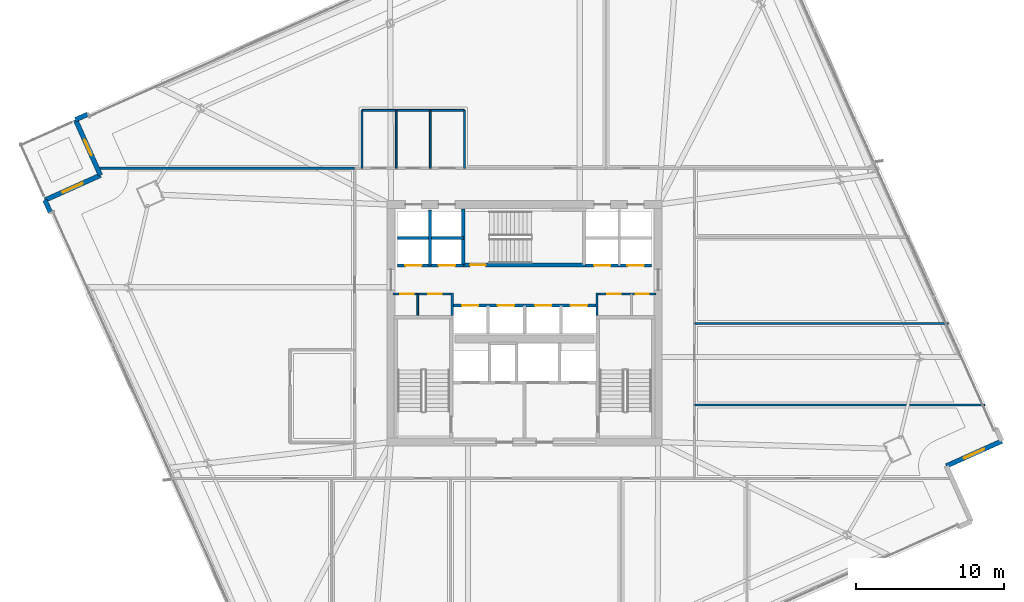
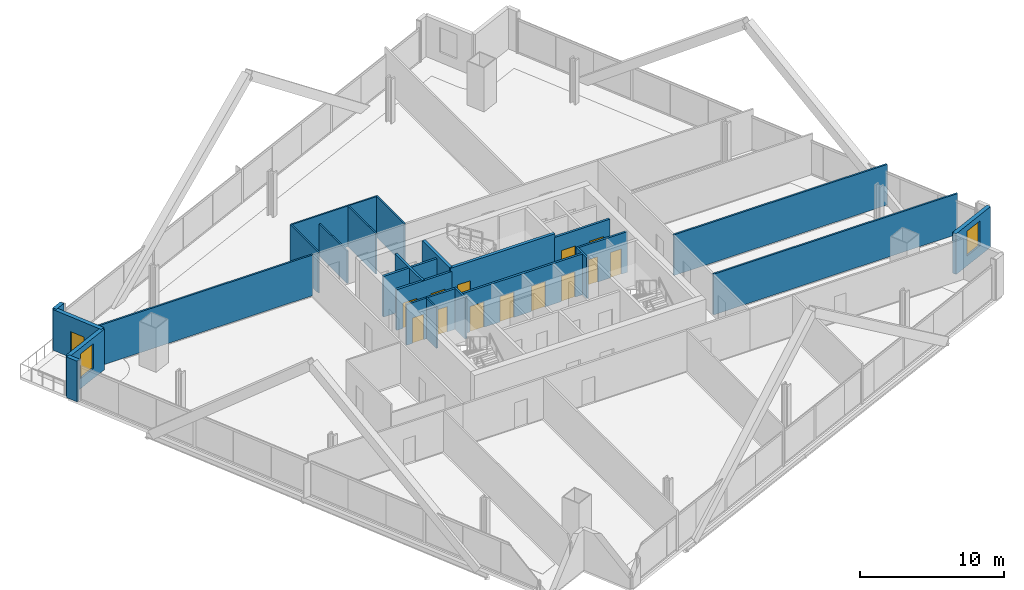
# One storey, part 30 of 38: 25 walls, 14 doors, 2 windows, 16 openings.
"""IFC4 building model written with IfcOpenShell, lengths in metres."""

from ifc_helpers import new_model, si_unit, direction, frame, frame_2d, origin, place, context, subcontext, project, spatial, rectangle, extrude, material, layer, layer_set, type_object, element, fill, save


model = new_model("IFC4")

# Units and contexts
model_context = context("Model", 3, precision=1e-05, world=origin(), true_north=direction((0.0, 1.0)))
body_context = subcontext(model_context, "Body", "Model", "MODEL_VIEW")
ifc_project = project(units=[si_unit("LENGTHUNIT", "METRE"), si_unit("AREAUNIT", "SQUARE_METRE"), si_unit("VOLUMEUNIT", "CUBIC_METRE"), si_unit("PLANEANGLEUNIT", "RADIAN"), si_unit("MASSUNIT", "GRAM", prefix="KILO")], contexts=[model_context])

# Site, building, storey
site_placement = place(None, origin())
site = spatial("IfcSite", under=ifc_project, at=site_placement, CompositionType="ELEMENT")
building_placement = place(site_placement, origin())
building = spatial("IfcBuilding", under=site, at=building_placement, Name="Haldenkirk Collegiate Tower", CompositionType="ELEMENT")
storey_placement = place(building_placement, frame((0.0, 0.0, 109.199951171875)))
storey = spatial("IfcBuildingStorey", under=building, at=storey_placement, Name="L26", CompositionType="ELEMENT", Elevation=109.199951171875)

# Wall, opening, window
ifc_material_1 = material(Name="Precast concrete f'c 40 MPa", Category="concrete")
ifc_layer_1 = layer(ifc_material_1, 0.320068359375)
ifc_layer_set_1 = layer_set([ifc_layer_1], Name="Precast concrete f'c 40 MPa")
wall_type_1 = type_object("IfcWallType", Name="WL-EXT-TWR-320", PredefinedType="STANDARD", material=ifc_layer_set_1)
wall_1_placement = place(storey_placement, frame((68.161865234375, 18.063720703125, 0.0), z_axis=(0.0, 0.0, 1.0), x_axis=(-0.912473298974, -0.409136259283, 0.0)))
wall_1 = element("IfcWall", 1, at=wall_1_placement, inside=storey, type_object=wall_type_1, Name="L26 bronze precast notch wall 03", PredefinedType="STANDARD", context=body_context, shape_type="SweptSolid", body=[
    extrude(rectangle(XDim=4.10009765625, YDim=0.320068359375, at=frame_2d((2.050048828125, 0.0))), origin(), (0.0, 0.0, 1.0), 3.449951171875),
])
opening_1_placement = place(wall_1_placement, frame((1.300048828125, 0.0, 0.85009765625)))
opening_1 = element("IfcOpeningElement", 2, at=opening_1_placement, cuts=wall_1, Name="Opening W-04", PredefinedType="OPENING", context=body_context, shape_type="SweptSolid", body=[
    extrude(rectangle(XDim=1.5, YDim=2.10009765625, at=frame_2d((0.75, 1.050048828125))), frame((0.0, 0.169921875, 0.0), z_axis=(0.0, -1.0, 0.0), x_axis=(1.0, 0.0, 0.0)), (0.0, 0.0, 1.0), 0.340087890625),
])
ifc_material_2 = material(Name="Low-E argon triple insulating glass", Category="glass")
ifc_layer_2 = layer(ifc_material_2, 0.090087890625)
ifc_layer_set_2 = layer_set([ifc_layer_2], Name="Low-E argon triple insulating glass")
window_type = type_object("IfcWindowType", Name="WN-Z2-1500X2100", PartitioningType="SINGLE_PANEL", PredefinedType="WINDOW", material=ifc_layer_set_2)
window_1_placement = place(opening_1_placement, origin())
window_1 = element("IfcWindow", 3, at=window_1_placement, inside=storey, type_object=window_type, Name="L26 precast-frame academic window 2", OverallHeight=2.10009765625, OverallWidth=1.5, PartitioningType="SINGLE_PANEL", PredefinedType="WINDOW", context=body_context, shape_type="SweptSolid", body=[
    extrude(rectangle(XDim=1.5, YDim=2.10009765625, at=frame_2d((0.75, 1.050048828125))), frame((0.0, 0.030029296875, 0.0), z_axis=(0.0, -1.0, 0.0), x_axis=(1.0, 0.0, 0.0)), (0.0, 0.0, 1.0), 0.06005859375),
])
fill(opening_1, window_1)

# Wall
wall_2_placement = place(storey_placement, frame((5.73828125, 39.719970703125, 0.0), z_axis=(0.0, 0.0, 1.0), x_axis=(0.912463919071, 0.409157178103, 0.0)))
element("IfcWall", 4, at=wall_2_placement, inside=storey, type_object=wall_type_1, Name="L26 precast corner pier NL", PredefinedType="STANDARD", context=body_context, shape_type="SweptSolid", body=[
    extrude(rectangle(XDim=0.89990234375, YDim=0.320068359375, at=frame_2d((0.449951171875, 0.0))), origin(), (0.0, 0.0, 1.0), 3.449951171875),
])

# Wall, opening, door
wall_3_placement = place(storey_placement, frame((7.415771484375, 35.978759765625, 0.0), z_axis=(0.0, 0.0, 1.0), x_axis=(-0.409136259283, 0.912473298974, 0.0)))
wall_3 = element("IfcWall", 5, at=wall_3_placement, inside=storey, type_object=wall_type_1, Name="L26 bronze precast notch wall 08", PredefinedType="STANDARD", context=body_context, shape_type="SweptSolid", body=[
    extrude(rectangle(XDim=4.10009765625, YDim=0.320068359375, at=frame_2d((2.050048828125, 0.0))), origin(), (0.0, 0.0, 1.0), 3.449951171875),
])
opening_2_placement = place(wall_3_placement, frame((1.47509765625, 0.0, 0.0)))
opening_2 = element("IfcOpeningElement", 6, at=opening_2_placement, cuts=wall_3, Name="Opening D-ST11", PredefinedType="OPENING", context=body_context, shape_type="SweptSolid", body=[
    extrude(rectangle(XDim=1.14990234375, YDim=2.199951171875, at=frame_2d((0.574951171875, 1.10009765625))), frame((0.0, 0.169921875, 0.0), z_axis=(0.0, -1.0, 0.0), x_axis=(1.0, 0.0, 0.0)), (0.0, 0.0, 1.0), 0.340087890625),
])
ifc_material_3 = material(Name="Anodised architectural bronze aluminium", Category="aluminium")
ifc_layer_3 = layer(ifc_material_3, 0.080078125)
ifc_layer_set_3 = layer_set([ifc_layer_3], Name="Anodised architectural bronze aluminium")
door_type_1 = type_object("IfcDoorType", Name="DR-EXT-STER-1150", OperationType="NOTDEFINED", PredefinedType="DOOR", material=ifc_layer_set_3)
door_1_placement = place(opening_2_placement, origin())
door_1 = element("IfcDoor", 7, at=door_1_placement, inside=storey, type_object=door_type_1, Name="L26 spiralling terrace door", OperationType="SINGLE_SWING_LEFT", OverallHeight=2.199951171875, OverallWidth=1.14990234375, PredefinedType="DOOR", context=body_context, shape_type="SweptSolid", body=[
    extrude(rectangle(XDim=1.14990234375, YDim=2.199951171875, at=frame_2d((0.574951171875, 1.10009765625))), frame((0.0, 0.02490234375, 0.0), z_axis=(0.0, -1.0, 0.0), x_axis=(1.0, 0.0, 0.0)), (0.0, 0.0, 1.0), 0.050048828125),
])
fill(opening_2, door_1)

# Wall, opening, window
wall_4_placement = place(storey_placement, frame((3.674560546875, 34.30126953125, 0.0), z_axis=(0.0, 0.0, 1.0), x_axis=(0.912473298974, 0.409136259283, 0.0)))
wall_4 = element("IfcWall", 8, at=wall_4_placement, inside=storey, type_object=wall_type_1, Name="L26 bronze precast notch wall 09", PredefinedType="STANDARD", context=body_context, shape_type="SweptSolid", body=[
    extrude(rectangle(XDim=4.10009765625, YDim=0.320068359375, at=frame_2d((2.050048828125, 0.0))), origin(), (0.0, 0.0, 1.0), 3.449951171875),
])
opening_3_placement = place(wall_4_placement, frame((1.300048828125, 0.0, 0.85009765625)))
opening_3 = element("IfcOpeningElement", 9, at=opening_3_placement, cuts=wall_4, Name="Opening W-04", PredefinedType="OPENING", context=body_context, shape_type="SweptSolid", body=[
    extrude(rectangle(XDim=1.5, YDim=2.10009765625, at=frame_2d((0.75, 1.050048828125))), frame((0.0, 0.169921875, 0.0), z_axis=(0.0, -1.0, 0.0), x_axis=(1.0, 0.0, 0.0)), (0.0, 0.0, 1.0), 0.340087890625),
])
window_2_placement = place(opening_3_placement, origin())
window_2 = element("IfcWindow", 10, at=window_2_placement, inside=storey, type_object=window_type, Name="L26 precast-frame academic window 8", OverallHeight=2.10009765625, OverallWidth=1.5, PartitioningType="SINGLE_PANEL", PredefinedType="WINDOW", context=body_context, shape_type="SweptSolid", body=[
    extrude(rectangle(XDim=1.5, YDim=2.10009765625, at=frame_2d((0.75, 1.050048828125))), frame((0.0, 0.030029296875, 0.0), z_axis=(0.0, -1.0, 0.0), x_axis=(1.0, 0.0, 0.0)), (0.0, 0.0, 1.0), 0.06005859375),
])
fill(opening_3, window_2)

# Wall
wall_5_placement = place(storey_placement, frame((4.042724609375, 33.47998046875, 0.0), z_axis=(0.0, 0.0, 1.0), x_axis=(-0.409055904093, 0.912509324515, 0.0)))
element("IfcWall", 11, at=wall_5_placement, inside=storey, type_object=wall_type_1, Name="L26 precast corner pier WR", PredefinedType="STANDARD", context=body_context, shape_type="SweptSolid", body=[
    extrude(rectangle(XDim=0.900146484375, YDim=0.320068359375, at=frame_2d((0.4501953125, 0.0))), origin(), (0.0, 0.0, 1.0), 3.449951171875),
])

# Wall, openings, doors
ifc_material_4 = material(Name="Acoustic fire-rated gypsum partition", Category="concrete")
ifc_layer_4 = layer(ifc_material_4, 0.159912109375)
ifc_layer_set_4 = layer_set([ifc_layer_4], Name="Acoustic fire-rated gypsum partition")
wall_type_2 = type_object("IfcWallType", Name="WL-INT-CORR-160", PredefinedType="PARTITIONING", material=ifc_layer_set_4)
wall_6_placement = place(storey_placement, frame((27.14990234375, 27.97998046875, 0.0), z_axis=(0.0, 0.0, 1.0), x_axis=(1.0, 0.0, 0.0)))
wall_6 = element("IfcWall", 12, at=wall_6_placement, inside=storey, type_object=wall_type_2, Name="L26 interior partition IW-L26-VCSW-N", PredefinedType="PARTITIONING", context=body_context, shape_type="SweptSolid", body=[
    extrude(rectangle(XDim=4.050048828125, YDim=0.159912109375, at=frame_2d((2.02490234375, 0.0))), origin(), (0.0, 0.0, 1.0), 3.449951171875),
])
opening_4_placement = place(wall_6_placement, frame((0.469970703125, 0.0, 0.0)))
opening_4 = element("IfcOpeningElement", 13, at=opening_4_placement, cuts=wall_6, Name="Opening D-11", PredefinedType="OPENING", context=body_context, shape_type="SweptSolid", body=[
    extrude(rectangle(XDim=0.89990234375, YDim=2.14990234375, at=frame_2d((0.449951171875, 1.074951171875))), frame((0.0, 0.08984375, 0.0), z_axis=(0.0, -1.0, 0.0), x_axis=(1.0, 0.0, 0.0)), (0.0, 0.0, 1.0), 0.179931640625),
])
opening_5_placement = place(wall_6_placement, frame((2.360107421875, 0.0, 0.0)))
opening_5 = element("IfcOpeningElement", 14, at=opening_5_placement, cuts=wall_6, Name="Opening D-11", PredefinedType="OPENING", context=body_context, shape_type="SweptSolid", body=[
    extrude(rectangle(XDim=0.89990234375, YDim=2.14990234375, at=frame_2d((0.449951171875, 1.074951171875))), frame((0.0, 0.08984375, 0.0), z_axis=(0.0, -1.0, 0.0), x_axis=(1.0, 0.0, 0.0)), (0.0, 0.0, 1.0), 0.179931640625),
])
ifc_material_5 = material(Name="Solid-core architectural oak fire door", Category="wood")
ifc_layer_5 = layer(ifc_material_5, 0.06005859375)
ifc_layer_set_5 = layer_set([ifc_layer_5], Name="Solid-core architectural oak fire door")
door_type_2 = type_object("IfcDoorType", Name="DR-INT-FD60-900", OperationType="NOTDEFINED", PredefinedType="DOOR", material=ifc_layer_set_5)
door_2_placement = place(opening_4_placement, origin())
door_2 = element("IfcDoor", 15, at=door_2_placement, inside=storey, type_object=door_type_2, Name="L26 core AV closet door", OperationType="SINGLE_SWING_RIGHT", OverallHeight=2.14990234375, OverallWidth=0.89990234375, PredefinedType="DOOR", context=body_context, shape_type="SweptSolid", body=[
    extrude(rectangle(XDim=0.89990234375, YDim=2.14990234375, at=frame_2d((0.449951171875, 1.074951171875))), frame((0.0, 0.02490234375, 0.0), z_axis=(0.0, -1.0, 0.0), x_axis=(1.0, 0.0, 0.0)), (0.0, 0.0, 1.0), 0.050048828125),
])
fill(opening_4, door_2)
door_3_placement = place(opening_5_placement, origin())
door_3 = element("IfcDoor", 16, at=door_3_placement, inside=storey, type_object=door_type_2, Name="L26 core supply closet door", OperationType="SINGLE_SWING_LEFT", OverallHeight=2.14990234375, OverallWidth=0.89990234375, PredefinedType="DOOR", context=body_context, shape_type="SweptSolid", body=[
    extrude(rectangle(XDim=0.89990234375, YDim=2.14990234375, at=frame_2d((0.449951171875, 1.074951171875))), frame((0.0, 0.02490234375, 0.0), z_axis=(0.0, -1.0, 0.0), x_axis=(1.0, 0.0, 0.0)), (0.0, 0.0, 1.0), 0.050048828125),
])
fill(opening_5, door_3)

# Wall
wall_7_placement = place(storey_placement, frame((31.1201171875, 26.5400390625, 0.0), z_axis=(0.0, 0.0, 1.0), x_axis=(0.0, 1.0, 0.0)))
element("IfcWall", 17, at=wall_7_placement, inside=storey, type_object=wall_type_2, Name="L26 interior partition IW-L26-VCSW-E", PredefinedType="PARTITIONING", context=body_context, shape_type="SweptSolid", body=[
    extrude(rectangle(XDim=1.510009765625, YDim=0.159912109375, at=frame_2d((0.7548828125, 0.0))), origin(), (0.0, 0.0, 1.0), 3.449951171875),
])

# Wall, openings, doors
wall_8_placement = place(storey_placement, frame((40.800048828125, 27.97998046875, 0.0), z_axis=(0.0, 0.0, 1.0), x_axis=(1.0, 0.0, 0.0)))
wall_8 = element("IfcWall", 18, at=wall_8_placement, inside=storey, type_object=wall_type_2, Name="L26 interior partition IW-L26-VCSE-N", PredefinedType="PARTITIONING", context=body_context, shape_type="SweptSolid", body=[
    extrude(rectangle(XDim=4.050048828125, YDim=0.159912109375, at=frame_2d((2.02490234375, 0.0))), origin(), (0.0, 0.0, 1.0), 3.449951171875),
])
opening_6_placement = place(wall_8_placement, frame((0.77001953125, 0.0, 0.0)))
opening_6 = element("IfcOpeningElement", 19, at=opening_6_placement, cuts=wall_8, Name="Opening D-11", PredefinedType="OPENING", context=body_context, shape_type="SweptSolid", body=[
    extrude(rectangle(XDim=0.89990234375, YDim=2.14990234375, at=frame_2d((0.449951171875, 1.074951171875))), frame((0.0, 0.08984375, 0.0), z_axis=(0.0, -1.0, 0.0), x_axis=(1.0, 0.0, 0.0)), (0.0, 0.0, 1.0), 0.179931640625),
])
opening_7_placement = place(wall_8_placement, frame((2.679931640625, 0.0, 0.0)))
opening_7 = element("IfcOpeningElement", 20, at=opening_7_placement, cuts=wall_8, Name="Opening D-11", PredefinedType="OPENING", context=body_context, shape_type="SweptSolid", body=[
    extrude(rectangle(XDim=0.89990234375, YDim=2.14990234375, at=frame_2d((0.449951171875, 1.074951171875))), frame((0.0, 0.08984375, 0.0), z_axis=(0.0, -1.0, 0.0), x_axis=(1.0, 0.0, 0.0)), (0.0, 0.0, 1.0), 0.179931640625),
])
door_4_placement = place(opening_6_placement, origin())
door_4 = element("IfcDoor", 21, at=door_4_placement, inside=storey, type_object=door_type_2, Name="L26 core archive door", OperationType="SINGLE_SWING_RIGHT", OverallHeight=2.14990234375, OverallWidth=0.89990234375, PredefinedType="DOOR", context=body_context, shape_type="SweptSolid", body=[
    extrude(rectangle(XDim=0.89990234375, YDim=2.14990234375, at=frame_2d((0.449951171875, 1.074951171875))), frame((0.0, 0.02490234375, 0.0), z_axis=(0.0, -1.0, 0.0), x_axis=(1.0, 0.0, 0.0)), (0.0, 0.0, 1.0), 0.050048828125),
])
fill(opening_6, door_4)
door_5_placement = place(opening_7_placement, origin())
door_5 = element("IfcDoor", 22, at=door_5_placement, inside=storey, type_object=door_type_2, Name="L26 core telecom door", OperationType="SINGLE_SWING_LEFT", OverallHeight=2.14990234375, OverallWidth=0.89990234375, PredefinedType="DOOR", context=body_context, shape_type="SweptSolid", body=[
    extrude(rectangle(XDim=0.89990234375, YDim=2.14990234375, at=frame_2d((0.449951171875, 1.074951171875))), frame((0.0, 0.02490234375, 0.0), z_axis=(0.0, -1.0, 0.0), x_axis=(1.0, 0.0, 0.0)), (0.0, 0.0, 1.0), 0.050048828125),
])
fill(opening_7, door_5)

# Walls
wall_9_placement = place(storey_placement, frame((40.8798828125, 26.5400390625, 0.0), z_axis=(0.0, 0.0, 1.0), x_axis=(0.0, 1.0, 0.0)))
element("IfcWall", 23, at=wall_9_placement, inside=storey, type_object=wall_type_2, Name="L26 interior partition IW-L26-VCSE-W", PredefinedType="PARTITIONING", context=body_context, shape_type="SweptSolid", body=[
    extrude(rectangle(XDim=1.510009765625, YDim=0.159912109375, at=frame_2d((0.7548828125, 0.0))), origin(), (0.0, 0.0, 1.0), 3.449951171875),
])
ifc_layer_6 = layer(ifc_material_4, 0.139892578125)
ifc_layer_set_6 = layer_set([ifc_layer_6], Name="Acoustic fire-rated gypsum partition")
wall_type_3 = type_object("IfcWallType", Name="WL-INT-DIV-140", PredefinedType="PARTITIONING", material=ifc_layer_set_6)
wall_10_placement = place(storey_placement, frame((7.248291015625, 36.449951171875, 0.0), z_axis=(0.0, 0.0, 1.0), x_axis=(1.0, 0.0, 0.0)))
element("IfcWall", 24, at=wall_10_placement, inside=storey, type_object=wall_type_3, Name="L26 interior partition IW-L26-BWN", PredefinedType="PARTITIONING", context=body_context, shape_type="SweptSolid", body=[
    extrude(rectangle(XDim=17.3017578125, YDim=0.139892578125, at=frame_2d((8.65087890625, 0.0))), origin(), (0.0, 0.0, 1.0), 3.449951171875),
])
wall_11_placement = place(storey_placement, frame((47.449951171875, 20.5, 0.0), z_axis=(0.0, 0.0, 1.0), x_axis=(1.0, 0.0, 0.0)))
element("IfcWall", 25, at=wall_11_placement, inside=storey, type_object=wall_type_3, Name="L26 interior partition IW-L26-RE1", PredefinedType="PARTITIONING", context=body_context, shape_type="SweptSolid", body=[
    extrude(rectangle(XDim=19.57568359375, YDim=0.139892578125, at=frame_2d((9.787841796875, 0.0))), origin(), (0.0, 0.0, 1.0), 3.449951171875),
])
wall_12_placement = place(storey_placement, frame((47.449951171875, 26.0, 0.0), z_axis=(0.0, 0.0, 1.0), x_axis=(1.0, 0.0, 0.0)))
element("IfcWall", 26, at=wall_12_placement, inside=storey, type_object=wall_type_3, Name="L26 interior partition IW-L26-RE2", PredefinedType="PARTITIONING", context=body_context, shape_type="SweptSolid", body=[
    extrude(rectangle(XDim=17.109619140625, YDim=0.139892578125, at=frame_2d((8.5546875, 0.0))), origin(), (0.0, 0.0, 1.0), 3.449951171875),
])

# Wall, openings, doors
ifc_material_6 = material(Name="Fire-rated gypsum shaftboard assembly", Category="concrete")
ifc_layer_7 = layer(ifc_material_6, 0.179931640625)
ifc_layer_set_7 = layer_set([ifc_layer_7], Name="Fire-rated gypsum shaftboard assembly")
wall_type_4 = type_object("IfcWallType", Name="WL-INT-SHAFT-180", PredefinedType="PARTITIONING", material=ifc_layer_set_7)
wall_13_placement = place(storey_placement, frame((27.449951171875, 29.89990234375, 0.0), z_axis=(0.0, 0.0, 1.0), x_axis=(1.0, 0.0, 0.0)))
wall_13 = element("IfcWall", 27, at=wall_13_placement, inside=storey, type_object=wall_type_4, Name="L26 interior partition IW-L26-PLS", PredefinedType="PARTITIONING", context=body_context, shape_type="SweptSolid", body=[
    extrude(rectangle(XDim=4.429931640625, YDim=0.179931640625, at=frame_2d((2.21484375, 0.0))), origin(), (0.0, 0.0, 1.0), 3.449951171875),
])
opening_8_placement = place(wall_13_placement, frame((0.514892578125, 0.0, 0.0)))
opening_8 = element("IfcOpeningElement", 28, at=opening_8_placement, cuts=wall_13, Name="Opening LD-11", PredefinedType="OPENING", context=body_context, shape_type="SweptSolid", body=[
    extrude(rectangle(XDim=1.10009765625, YDim=2.14990234375, at=frame_2d((0.550048828125, 1.074951171875))), frame((0.0, 0.099853515625, 0.0), z_axis=(0.0, -1.0, 0.0), x_axis=(1.0, 0.0, 0.0)), (0.0, 0.0, 1.0), 0.199951171875),
])
opening_9_placement = place(wall_13_placement, frame((2.764892578125, 0.0, 0.0)))
opening_9 = element("IfcOpeningElement", 29, at=opening_9_placement, cuts=wall_13, Name="Opening LD-11", PredefinedType="OPENING", context=body_context, shape_type="SweptSolid", body=[
    extrude(rectangle(XDim=1.10009765625, YDim=2.14990234375, at=frame_2d((0.550048828125, 1.074951171875))), frame((0.0, 0.099853515625, 0.0), z_axis=(0.0, -1.0, 0.0), x_axis=(1.0, 0.0, 0.0)), (0.0, 0.0, 1.0), 0.199951171875),
])
ifc_material_7 = material(Name="Brushed architectural stainless steel", Category="steel")
ifc_layer_8 = layer(ifc_material_7, 0.06005859375)
ifc_layer_set_8 = layer_set([ifc_layer_8], Name="Brushed architectural stainless steel")
door_type_3 = type_object("IfcDoorType", Name="LD-PASS-1100", OperationType="NOTDEFINED", PredefinedType="DOOR", material=ifc_layer_set_8)
door_6_placement = place(opening_8_placement, origin())
door_6 = element("IfcDoor", 30, at=door_6_placement, inside=storey, type_object=door_type_3, Name="L26 Elevator PL1 sliding landing door", OperationType="SLIDING_TO_LEFT", OverallHeight=2.14990234375, OverallWidth=1.10009765625, PredefinedType="DOOR", context=body_context, shape_type="SweptSolid", body=[
    extrude(rectangle(XDim=1.10009765625, YDim=2.14990234375, at=frame_2d((0.550048828125, 1.074951171875))), frame((0.0, 0.02490234375, 0.0), z_axis=(0.0, -1.0, 0.0), x_axis=(1.0, 0.0, 0.0)), (0.0, 0.0, 1.0), 0.050048828125),
])
fill(opening_8, door_6)
door_7_placement = place(opening_9_placement, origin())
door_7 = element("IfcDoor", 31, at=door_7_placement, inside=storey, type_object=door_type_3, Name="L26 Elevator PL2 sliding landing door", OperationType="SLIDING_TO_LEFT", OverallHeight=2.14990234375, OverallWidth=1.10009765625, PredefinedType="DOOR", context=body_context, shape_type="SweptSolid", body=[
    extrude(rectangle(XDim=1.10009765625, YDim=2.14990234375, at=frame_2d((0.550048828125, 1.074951171875))), frame((0.0, 0.02490234375, 0.0), z_axis=(0.0, -1.0, 0.0), x_axis=(1.0, 0.0, 0.0)), (0.0, 0.0, 1.0), 0.050048828125),
])
fill(opening_9, door_7)

# Walls
wall_14_placement = place(storey_placement, frame((27.449951171875, 31.75, 0.0), z_axis=(0.0, 0.0, 1.0), x_axis=(1.0, 0.0, 0.0)))
element("IfcWall", 32, at=wall_14_placement, inside=storey, type_object=wall_type_4, Name="L26 interior partition IW-L26-PLM", PredefinedType="PARTITIONING", context=body_context, shape_type="SweptSolid", body=[
    extrude(rectangle(XDim=4.429931640625, YDim=0.179931640625, at=frame_2d((2.21484375, 0.0))), origin(), (0.0, 0.0, 1.0), 3.449951171875),
])
wall_15_placement = place(storey_placement, frame((29.6298828125, 29.89990234375, 0.0), z_axis=(0.0, 0.0, 1.0), x_axis=(0.0, 1.0, 0.0)))
element("IfcWall", 33, at=wall_15_placement, inside=storey, type_object=wall_type_4, Name="L26 interior partition IW-L26-PLV", PredefinedType="PARTITIONING", context=body_context, shape_type="SweptSolid", body=[
    extrude(rectangle(XDim=3.75, YDim=0.179931640625, at=frame_2d((1.875, 0.0))), origin(), (0.0, 0.0, 1.0), 3.449951171875),
])

# Wall, openings, doors
wall_16_placement = place(storey_placement, frame((40.1201171875, 29.89990234375, 0.0), z_axis=(0.0, 0.0, 1.0), x_axis=(1.0, 0.0, 0.0)))
wall_16 = element("IfcWall", 34, at=wall_16_placement, inside=storey, type_object=wall_type_4, Name="L26 interior partition IW-L26-PMS", PredefinedType="PARTITIONING", context=body_context, shape_type="SweptSolid", body=[
    extrude(rectangle(XDim=4.429931640625, YDim=0.179931640625, at=frame_2d((2.21484375, 0.0))), origin(), (0.0, 0.0, 1.0), 3.449951171875),
])
opening_10_placement = place(wall_16_placement, frame((0.56494140625, 0.0, 0.0)))
opening_10 = element("IfcOpeningElement", 35, at=opening_10_placement, cuts=wall_16, Name="Opening LD-11", PredefinedType="OPENING", context=body_context, shape_type="SweptSolid", body=[
    extrude(rectangle(XDim=1.10009765625, YDim=2.14990234375, at=frame_2d((0.550048828125, 1.074951171875))), frame((0.0, 0.099853515625, 0.0), z_axis=(0.0, -1.0, 0.0), x_axis=(1.0, 0.0, 0.0)), (0.0, 0.0, 1.0), 0.199951171875),
])
opening_11_placement = place(wall_16_placement, frame((2.81494140625, 0.0, 0.0)))
opening_11 = element("IfcOpeningElement", 36, at=opening_11_placement, cuts=wall_16, Name="Opening LD-11", PredefinedType="OPENING", context=body_context, shape_type="SweptSolid", body=[
    extrude(rectangle(XDim=1.10009765625, YDim=2.14990234375, at=frame_2d((0.550048828125, 1.074951171875))), frame((0.0, 0.099853515625, 0.0), z_axis=(0.0, -1.0, 0.0), x_axis=(1.0, 0.0, 0.0)), (0.0, 0.0, 1.0), 0.199951171875),
])
door_8_placement = place(opening_10_placement, origin())
door_8 = element("IfcDoor", 37, at=door_8_placement, inside=storey, type_object=door_type_3, Name="L26 Elevator PM1 sliding landing door", OperationType="SLIDING_TO_LEFT", OverallHeight=2.14990234375, OverallWidth=1.10009765625, PredefinedType="DOOR", context=body_context, shape_type="SweptSolid", body=[
    extrude(rectangle(XDim=1.10009765625, YDim=2.14990234375, at=frame_2d((0.550048828125, 1.074951171875))), frame((0.0, 0.02490234375, 0.0), z_axis=(0.0, -1.0, 0.0), x_axis=(1.0, 0.0, 0.0)), (0.0, 0.0, 1.0), 0.050048828125),
])
fill(opening_10, door_8)
door_9_placement = place(opening_11_placement, origin())
door_9 = element("IfcDoor", 38, at=door_9_placement, inside=storey, type_object=door_type_3, Name="L26 Elevator PM2 sliding landing door", OperationType="SLIDING_TO_LEFT", OverallHeight=2.14990234375, OverallWidth=1.10009765625, PredefinedType="DOOR", context=body_context, shape_type="SweptSolid", body=[
    extrude(rectangle(XDim=1.10009765625, YDim=2.14990234375, at=frame_2d((0.550048828125, 1.074951171875))), frame((0.0, 0.02490234375, 0.0), z_axis=(0.0, -1.0, 0.0), x_axis=(1.0, 0.0, 0.0)), (0.0, 0.0, 1.0), 0.050048828125),
])
fill(opening_11, door_9)

wall_17_placement = place(storey_placement, frame((31.199951171875, 27.199951171875, 0.0), z_axis=(0.0, 0.0, 1.0), x_axis=(1.0, 0.0, 0.0)))
wall_17 = element("IfcWall", 39, at=wall_17_placement, inside=storey, type_object=wall_type_4, Name="L26 interior partition IW-L26-PHN", PredefinedType="PARTITIONING", context=body_context, shape_type="SweptSolid", body=[
    extrude(rectangle(XDim=9.60009765625, YDim=0.179931640625, at=frame_2d((4.800048828125, 0.0))), origin(), (0.0, 0.0, 1.0), 3.449951171875),
])
opening_12_placement = place(wall_17_placement, frame((0.590087890625, 0.0, 0.0)))
opening_12 = element("IfcOpeningElement", 40, at=opening_12_placement, cuts=wall_17, Name="Opening LD-11", PredefinedType="OPENING", context=body_context, shape_type="SweptSolid", body=[
    extrude(rectangle(XDim=1.10009765625, YDim=2.14990234375, at=frame_2d((0.550048828125, 1.074951171875))), frame((0.0, 0.099853515625, 0.0), z_axis=(0.0, -1.0, 0.0), x_axis=(1.0, 0.0, 0.0)), (0.0, 0.0, 1.0), 0.199951171875),
])
opening_13_placement = place(wall_17_placement, frame((2.989990234375, 0.0, 0.0)))
opening_13 = element("IfcOpeningElement", 41, at=opening_13_placement, cuts=wall_17, Name="Opening LD-11", PredefinedType="OPENING", context=body_context, shape_type="SweptSolid", body=[
    extrude(rectangle(XDim=1.10009765625, YDim=2.14990234375, at=frame_2d((0.550048828125, 1.074951171875))), frame((0.0, 0.099853515625, 0.0), z_axis=(0.0, -1.0, 0.0), x_axis=(1.0, 0.0, 0.0)), (0.0, 0.0, 1.0), 0.199951171875),
])
opening_14_placement = place(wall_17_placement, frame((5.510009765625, 0.0, 0.0)))
opening_14 = element("IfcOpeningElement", 42, at=opening_14_placement, cuts=wall_17, Name="Opening LD-11", PredefinedType="OPENING", context=body_context, shape_type="SweptSolid", body=[
    extrude(rectangle(XDim=1.10009765625, YDim=2.14990234375, at=frame_2d((0.550048828125, 1.074951171875))), frame((0.0, 0.099853515625, 0.0), z_axis=(0.0, -1.0, 0.0), x_axis=(1.0, 0.0, 0.0)), (0.0, 0.0, 1.0), 0.199951171875),
])
opening_15_placement = place(wall_17_placement, frame((7.909912109375, 0.0, 0.0)))
opening_15 = element("IfcOpeningElement", 43, at=opening_15_placement, cuts=wall_17, Name="Opening LD-11", PredefinedType="OPENING", context=body_context, shape_type="SweptSolid", body=[
    extrude(rectangle(XDim=1.10009765625, YDim=2.14990234375, at=frame_2d((0.550048828125, 1.074951171875))), frame((0.0, 0.099853515625, 0.0), z_axis=(0.0, -1.0, 0.0), x_axis=(1.0, 0.0, 0.0)), (0.0, 0.0, 1.0), 0.199951171875),
])
door_10_placement = place(opening_12_placement, origin())
door_10 = element("IfcDoor", 44, at=door_10_placement, inside=storey, type_object=door_type_3, Name="L26 Elevator PH1 sliding landing door", OperationType="SLIDING_TO_LEFT", OverallHeight=2.14990234375, OverallWidth=1.10009765625, PredefinedType="DOOR", context=body_context, shape_type="SweptSolid", body=[
    extrude(rectangle(XDim=1.10009765625, YDim=2.14990234375, at=frame_2d((0.550048828125, 1.074951171875))), frame((0.0, 0.02490234375, 0.0), z_axis=(0.0, -1.0, 0.0), x_axis=(1.0, 0.0, 0.0)), (0.0, 0.0, 1.0), 0.050048828125),
])
fill(opening_12, door_10)
door_11_placement = place(opening_13_placement, origin())
door_11 = element("IfcDoor", 45, at=door_11_placement, inside=storey, type_object=door_type_3, Name="L26 Elevator PH2 sliding landing door", OperationType="SLIDING_TO_LEFT", OverallHeight=2.14990234375, OverallWidth=1.10009765625, PredefinedType="DOOR", context=body_context, shape_type="SweptSolid", body=[
    extrude(rectangle(XDim=1.10009765625, YDim=2.14990234375, at=frame_2d((0.550048828125, 1.074951171875))), frame((0.0, 0.02490234375, 0.0), z_axis=(0.0, -1.0, 0.0), x_axis=(1.0, 0.0, 0.0)), (0.0, 0.0, 1.0), 0.050048828125),
])
fill(opening_13, door_11)
door_12_placement = place(opening_14_placement, origin())
door_12 = element("IfcDoor", 46, at=door_12_placement, inside=storey, type_object=door_type_3, Name="L26 Elevator PH3 sliding landing door", OperationType="SLIDING_TO_LEFT", OverallHeight=2.14990234375, OverallWidth=1.10009765625, PredefinedType="DOOR", context=body_context, shape_type="SweptSolid", body=[
    extrude(rectangle(XDim=1.10009765625, YDim=2.14990234375, at=frame_2d((0.550048828125, 1.074951171875))), frame((0.0, 0.02490234375, 0.0), z_axis=(0.0, -1.0, 0.0), x_axis=(1.0, 0.0, 0.0)), (0.0, 0.0, 1.0), 0.050048828125),
])
fill(opening_14, door_12)
door_13_placement = place(opening_15_placement, origin())
door_13 = element("IfcDoor", 47, at=door_13_placement, inside=storey, type_object=door_type_3, Name="L26 Elevator PH4 sliding landing door", OperationType="SLIDING_TO_LEFT", OverallHeight=2.14990234375, OverallWidth=1.10009765625, PredefinedType="DOOR", context=body_context, shape_type="SweptSolid", body=[
    extrude(rectangle(XDim=1.10009765625, YDim=2.14990234375, at=frame_2d((0.550048828125, 1.074951171875))), frame((0.0, 0.02490234375, 0.0), z_axis=(0.0, -1.0, 0.0), x_axis=(1.0, 0.0, 0.0)), (0.0, 0.0, 1.0), 0.050048828125),
])
fill(opening_15, door_13)

# Walls
ifc_layer_9 = layer(ifc_material_4, 0.1201171875)
ifc_layer_set_9 = layer_set([ifc_layer_9], Name="Acoustic fire-rated gypsum partition")
wall_type_5 = type_object("IfcWallType", Name="WL-INT-WET-120", PredefinedType="PARTITIONING", material=ifc_layer_set_9)
wall_18_placement = place(storey_placement, frame((28.800048828125, 26.5400390625, 0.0), z_axis=(0.0, 0.0, 1.0), x_axis=(0.0, 1.0, 0.0)))
element("IfcWall", 48, at=wall_18_placement, inside=storey, type_object=wall_type_5, Name="L26 interior partition IW-L26-VCSW-M", PredefinedType="PARTITIONING", context=body_context, shape_type="SweptSolid", body=[
    extrude(rectangle(XDim=1.43994140625, YDim=0.1201171875, at=frame_2d((0.719970703125, 0.0))), origin(), (0.0, 0.0, 1.0), 3.449951171875),
])
wall_19_placement = place(storey_placement, frame((25.050048828125, 36.449951171875, 0.0), z_axis=(0.0, 0.0, 1.0), x_axis=(0.0, 1.0, 0.0)))
element("IfcWall", 49, at=wall_19_placement, inside=storey, type_object=wall_type_5, Name="L26 interior partition IW-L26-WCW", PredefinedType="PARTITIONING", context=body_context, shape_type="SweptSolid", body=[
    extrude(rectangle(XDim=3.900146484375, YDim=0.1201171875, at=frame_2d((1.9501953125, 0.0))), origin(), (0.0, 0.0, 1.0), 3.449951171875),
])
wall_20_placement = place(storey_placement, frame((27.35009765625, 36.449951171875, 0.0), z_axis=(0.0, 0.0, 1.0), x_axis=(0.0, 1.0, 0.0)))
element("IfcWall", 50, at=wall_20_placement, inside=storey, type_object=wall_type_5, Name="L26 interior partition IW-L26-WC1", PredefinedType="PARTITIONING", context=body_context, shape_type="SweptSolid", body=[
    extrude(rectangle(XDim=3.900146484375, YDim=0.1201171875, at=frame_2d((1.9501953125, 0.0))), origin(), (0.0, 0.0, 1.0), 2.7490234375),
])
for number, where, z_axis, x_axis, name in (
    (51, (29.64990234375, 36.449951171875, 0.0), (0.0, 0.0, 1.0), (0.0, 1.0, 0.0), "L26 interior partition IW-L26-WC2"),
    (52, (31.949951171875, 36.449951171875, 0.0), (0.0, 0.0, 1.0), (0.0, 1.0, 0.0), "L26 interior partition IW-L26-WCE"),
):
    element("IfcWall", number, at=place(storey_placement, frame(where, z_axis=z_axis, x_axis=x_axis)), inside=storey, type_object=wall_type_5, Name=name, PredefinedType="PARTITIONING", context=body_context, shape_type="SweptSolid", body=[
        extrude(rectangle(XDim=3.900146484375, YDim=0.1201171875, at=frame_2d((1.9501953125, 0.0))), origin(), (0.0, 0.0, 1.0), 3.449951171875),
    ])
wall_21_placement = place(storey_placement, frame((25.050048828125, 40.35009765625, 0.0), z_axis=(0.0, 0.0, 1.0), x_axis=(1.0, 0.0, 0.0)))
element("IfcWall", 53, at=wall_21_placement, inside=storey, type_object=wall_type_5, Name="L26 interior partition IW-L26-WCB", PredefinedType="PARTITIONING", context=body_context, shape_type="SweptSolid", body=[
    extrude(rectangle(XDim=6.89990234375, YDim=0.1201171875, at=frame_2d((3.449951171875, 0.0))), origin(), (0.0, 0.0, 1.0), 3.449951171875),
])

# Wall, opening, door
ifc_material_8 = material(Name="Concrete f'c 55 MPa", Category="concrete")
ifc_layer_10 = layer(ifc_material_8, 0.239990234375)
ifc_layer_set_10 = layer_set([ifc_layer_10], Name="Concrete f'c 55 MPa")
wall_type_6 = type_object("IfcWallType", Name="WL-SHAFT-240", PredefinedType="SHEAR", material=ifc_layer_set_10)
wall_22_placement = place(storey_placement, frame((31.760009765625, 29.929931640625, 0.0), z_axis=(0.0, 0.0, 1.0), x_axis=(1.0, 0.0, 0.0)))
wall_22 = element("IfcWall", 54, at=wall_22_placement, inside=storey, type_object=wall_type_6, Name="L26 stair shaft shear wall SW-L26-ST3S", PredefinedType="SHEAR", context=body_context, shape_type="SweptSolid", body=[
    extrude(rectangle(XDim=8.3798828125, YDim=0.239990234375, at=frame_2d((4.18994140625, 0.0))), origin(), (0.0, 0.0, 1.0), 3.75),
])
opening_16_placement = place(wall_22_placement, frame((0.56494140625, 0.0, 0.0)))
opening_16 = element("IfcOpeningElement", 55, at=opening_16_placement, cuts=wall_22, Name="Opening D-01", PredefinedType="OPENING", context=body_context, shape_type="SweptSolid", body=[
    extrude(rectangle(XDim=1.050048828125, YDim=2.14990234375, at=frame_2d((0.52490234375, 1.074951171875))), frame((0.0, 0.1298828125, 0.0), z_axis=(0.0, -1.0, 0.0), x_axis=(1.0, 0.0, 0.0)), (0.0, 0.0, 1.0), 0.260009765625),
])
ifc_material_9 = material(Name="Galvanized fire-rated hollow steel door", Category="steel")
ifc_layer_11 = layer(ifc_material_9, 0.06005859375)
ifc_layer_set_11 = layer_set([ifc_layer_11], Name="Galvanized fire-rated hollow steel door")
door_type_4 = type_object("IfcDoorType", Name="DR-STAIR-FD90-1050", OperationType="NOTDEFINED", PredefinedType="DOOR", material=ifc_layer_set_11)
door_14_placement = place(opening_16_placement, origin())
door_14 = element("IfcDoor", 56, at=door_14_placement, inside=storey, type_object=door_type_4, Name="L26 lift lobby Stair 3 door", OperationType="SINGLE_SWING_RIGHT", OverallHeight=2.14990234375, OverallWidth=1.050048828125, PredefinedType="DOOR", context=body_context, shape_type="SweptSolid", body=[
    extrude(rectangle(XDim=1.050048828125, YDim=2.14990234375, at=frame_2d((0.52490234375, 1.074951171875))), frame((0.0, 0.02490234375, 0.0), z_axis=(0.0, -1.0, 0.0), x_axis=(1.0, 0.0, 0.0)), (0.0, 0.0, 1.0), 0.050048828125),
])
fill(opening_16, door_14)

# Wall
wall_23_placement = place(storey_placement, frame((31.8798828125, 29.929931640625, 0.0), z_axis=(0.0, 0.0, 1.0), x_axis=(0.0, 1.0, 0.0)))
element("IfcWall", 57, at=wall_23_placement, inside=storey, type_object=wall_type_6, Name="L26 stair shaft shear wall SW-L26-ST3W", PredefinedType="SHEAR", context=body_context, shape_type="SweptSolid", body=[
    extrude(rectangle(XDim=3.7900390625, YDim=0.239990234375, at=frame_2d((1.89501953125, 0.0))), origin(), (0.0, 0.0, 1.0), 3.75),
])

save(model, "model.ifc")
